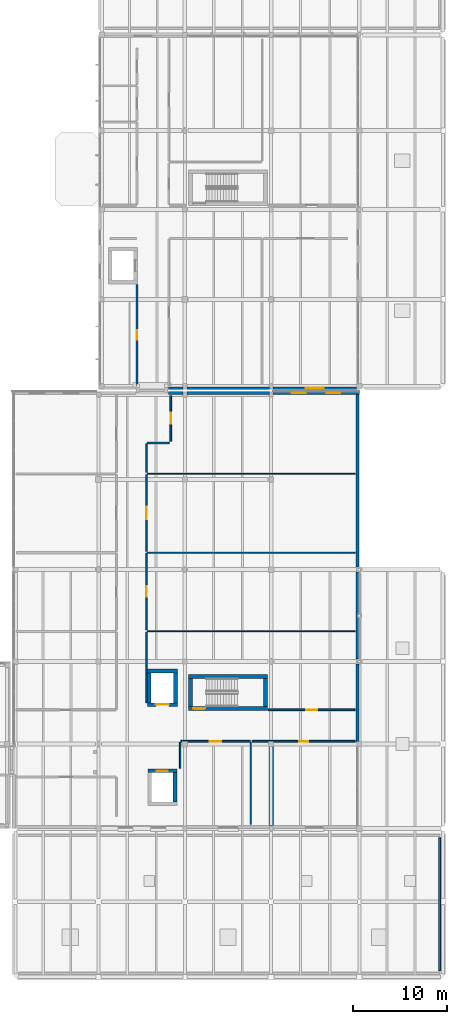
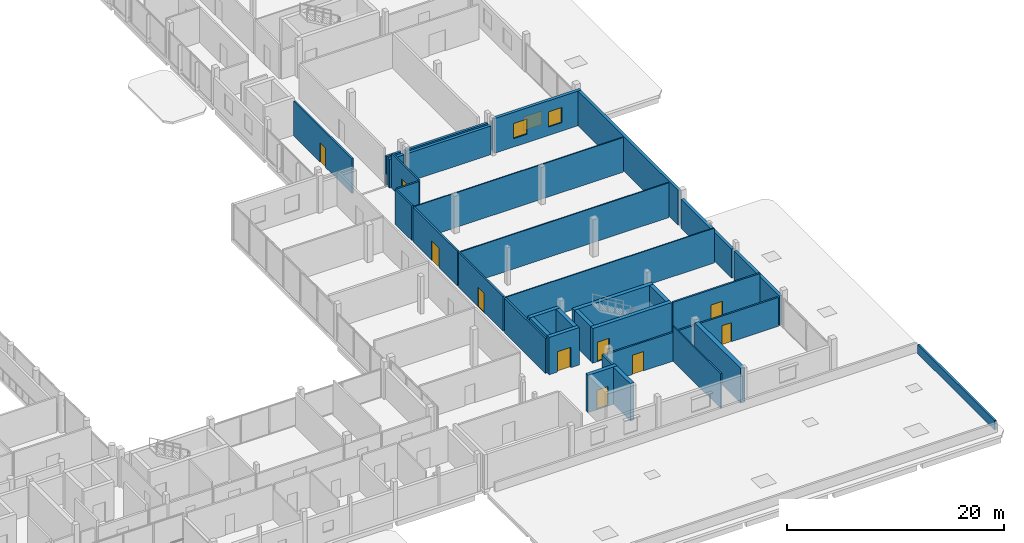
# One storey, part 48 of 66: 36 walls, 10 doors, 3 windows, 13 openings.
"""IFC4 building model written with IfcOpenShell, lengths in metres."""

from ifc_helpers import new_model, si_unit, direction, frame, frame_2d, origin, place, context, subcontext, project, spatial, rectangle, extrude, material, layer, layer_set, type_object, element, fill, save


model = new_model("IFC4")

# Units and contexts
model_context = context("Model", 3, precision=1e-05, world=origin(), true_north=direction((0.0, 1.0)))
body_context = subcontext(model_context, "Body", "Model", "MODEL_VIEW")
ifc_project = project(units=[si_unit("LENGTHUNIT", "METRE"), si_unit("AREAUNIT", "SQUARE_METRE"), si_unit("VOLUMEUNIT", "CUBIC_METRE"), si_unit("PLANEANGLEUNIT", "RADIAN"), si_unit("MASSUNIT", "GRAM", prefix="KILO")], contexts=[model_context])

# Site, building, storey
site_placement = place(None, origin())
site = spatial("IfcSite", under=ifc_project, at=site_placement, CompositionType="ELEMENT")
building_placement = place(site_placement, origin())
building = spatial("IfcBuilding", under=site, at=building_placement, Name="Birchvale Park Specialist Clinic", CompositionType="ELEMENT")
storey_placement = place(building_placement, frame((0.0, 0.0, 5.39990234375)))
storey = spatial("IfcBuildingStorey", under=building, at=storey_placement, Name="L01", CompositionType="ELEMENT", Elevation=5.39990234375)

# Wall, opening, door
ifc_material_1 = material(Name="Concrete C40/50", Category="concrete")
ifc_layer_1 = layer(ifc_material_1, 0.39990234375)
ifc_layer_set_1 = layer_set([ifc_layer_1], Name="Concrete C40/50")
wall_type_1 = type_object("IfcWallType", Name="WL-CW-120", PredefinedType="SHEAR", material=ifc_layer_set_1)
wall_1_placement = place(storey_placement, frame((137.60009765625, 29.60009765625, 0.0), z_axis=(0.0, 0.0, 1.0), x_axis=(1.0, 0.0, 0.0)))
wall_1 = element("IfcWall", 1, at=wall_1_placement, inside=storey, type_object=wall_type_1, Name="L01 stair ST6 EI 120 enclosure wall (south)", PredefinedType="SHEAR", context=body_context, shape_type="SweptSolid", body=[
    extrude(rectangle(XDim=8.39990234375, YDim=0.39990234375, at=frame_2d((4.199951171875, 0.0))), origin(), (0.0, 0.0, 1.0), 3.900146484375),
])
opening_1_placement = place(wall_1_placement, frame((0.52001953125, 0.0, 0.0)))
opening_1 = element("IfcOpeningElement", 2, at=opening_1_placement, cuts=wall_1, Name="Opening ID-FD60", PredefinedType="OPENING", context=body_context, shape_type="SweptSolid", body=[
    extrude(rectangle(XDim=1.25, YDim=2.199951171875, at=frame_2d((0.625, 1.10009765625))), frame((0.0, 0.2099609375, 0.0), z_axis=(0.0, -1.0, 0.0), x_axis=(1.0, 0.0, 0.0)), (0.0, 0.0, 1.0), 0.419921875),
])
ifc_material_2 = material(Name="Solid-core birch veneer and anodised aluminium", Category="aluminium")
door_type_1 = type_object("IfcDoorType", Name="DR-ID-FD60", OperationType="NOTDEFINED", PredefinedType="DOOR", material=ifc_material_2)
door_1_placement = place(opening_1_placement, origin())
door_1 = element("IfcDoor", 3, at=door_1_placement, inside=storey, type_object=door_type_1, Name="L01 stair ST6 fire door", OperationType="SINGLE_SWING_RIGHT", OverallHeight=2.199951171875, OverallWidth=1.25, PredefinedType="DOOR", context=body_context, shape_type="SweptSolid", body=[
    extrude(rectangle(XDim=1.25, YDim=2.199951171875, at=frame_2d((0.625, 1.10009765625))), frame((0.0, 0.02490234375, 0.0), z_axis=(0.0, -1.0, 0.0), x_axis=(1.0, 0.0, 0.0)), (0.0, 0.0, 1.0), 0.050048828125),
])
fill(opening_1, door_1)

# Walls
wall_2_placement = place(storey_placement, frame((146.0, 33.0, 0.0), z_axis=(0.0, 0.0, 1.0), x_axis=(-1.0, 0.0, 0.0)))
element("IfcWall", 4, at=wall_2_placement, inside=storey, type_object=wall_type_1, Name="L01 stair ST6 EI 120 enclosure wall (north)", PredefinedType="SHEAR", context=body_context, shape_type="SweptSolid", body=[
    extrude(rectangle(XDim=8.39990234375, YDim=0.39990234375, at=frame_2d((4.199951171875, 0.0))), origin(), (0.0, 0.0, 1.0), 3.900146484375),
])
for number, where, z_axis, x_axis, name in (
    (5, (137.800048828125, 29.800048828125, 0.0), (0.0, 0.0, 1.0), (0.0, 1.0, 0.0), "L01 stair ST6 EI 120 enclosure wall (west)"),
    (6, (145.800048828125, 32.800048828125, 0.0), (0.0, 0.0, 1.0), (0.0, -1.0, 0.0), "L01 stair ST6 EI 120 enclosure wall (east)"),
):
    element("IfcWall", number, at=place(storey_placement, frame(where, z_axis=z_axis, x_axis=x_axis)), inside=storey, type_object=wall_type_1, Name=name, PredefinedType="SHEAR", context=body_context, shape_type="SweptSolid", body=[
        extrude(rectangle(XDim=3.0, YDim=0.39990234375, at=frame_2d((1.5, 0.0))), origin(), (0.0, 0.0, 1.0), 3.900146484375),
    ])

# Wall, opening, door
wall_3_placement = place(storey_placement, frame((136.35009765625, 22.949951171875, 0.0), z_axis=(0.0, 0.0, 1.0), x_axis=(-1.0, 0.0, 0.0)))
wall_3 = element("IfcWall", 7, at=wall_3_placement, inside=storey, type_object=wall_type_1, Name="L01 lift LP4 shaft wall (north)", PredefinedType="SHEAR", context=body_context, shape_type="SweptSolid", body=[
    extrude(rectangle(XDim=3.10009765625, YDim=0.39990234375, at=frame_2d((1.550048828125, 0.0))), origin(), (0.0, 0.0, 1.0), 4.2001953125),
])
opening_2_placement = place(wall_3_placement, frame((0.949951171875, 0.0, 0.0)))
opening_2 = element("IfcOpeningElement", 8, at=opening_2_placement, cuts=wall_3, Name="Opening LD-01", PredefinedType="OPENING", context=body_context, shape_type="SweptSolid", body=[
    extrude(rectangle(XDim=1.199951171875, YDim=2.199951171875, at=frame_2d((0.60009765625, 1.10009765625))), frame((0.0, 0.2099609375, 0.0), z_axis=(0.0, -1.0, 0.0), x_axis=(1.0, 0.0, 0.0)), (0.0, 0.0, 1.0), 0.419921875),
])
door_type_2 = type_object("IfcDoorType", Name="DR-LD-01", OperationType="DOUBLE_DOOR_SLIDING", PredefinedType="DOOR", material=ifc_material_2)
door_2_placement = place(opening_2_placement, origin())
door_2 = element("IfcDoor", 9, at=door_2_placement, inside=storey, type_object=door_type_2, Name="L01 lift LP4 sliding landing door", OperationType="DOUBLE_DOOR_SLIDING", OverallHeight=2.199951171875, OverallWidth=1.199951171875, PredefinedType="DOOR", context=body_context, shape_type="SweptSolid", body=[
    extrude(rectangle(XDim=1.199951171875, YDim=2.199951171875, at=frame_2d((0.60009765625, 1.10009765625))), frame((0.0, 0.02490234375, 0.0), z_axis=(0.0, -1.0, 0.0), x_axis=(1.0, 0.0, 0.0)), (0.0, 0.0, 1.0), 0.050048828125),
])
fill(opening_2, door_2)

# Wall
wall_4_placement = place(storey_placement, frame((136.14990234375, 22.75, 0.0), z_axis=(0.0, 0.0, 1.0), x_axis=(0.0, -1.0, 0.0)))
element("IfcWall", 10, at=wall_4_placement, inside=storey, type_object=wall_type_1, Name="L01 lift LP4 shaft wall (east)", PredefinedType="SHEAR", context=body_context, shape_type="SweptSolid", body=[
    extrude(rectangle(XDim=3.10009765625, YDim=0.39990234375, at=frame_2d((1.550048828125, 0.0))), origin(), (0.0, 0.0, 1.0), 4.2001953125),
])

# Wall, opening, door
wall_5_placement = place(storey_placement, frame((133.199951171875, 30.0, 0.0), z_axis=(0.0, 0.0, 1.0), x_axis=(1.0, 0.0, 0.0)))
wall_5 = element("IfcWall", 11, at=wall_5_placement, inside=storey, type_object=wall_type_1, Name="L01 lift LS2 shaft wall (south)", PredefinedType="SHEAR", context=body_context, shape_type="SweptSolid", body=[
    extrude(rectangle(XDim=3.199951171875, YDim=0.39990234375, at=frame_2d((1.60009765625, 0.0))), origin(), (0.0, 0.0, 1.0), 4.2001953125),
])
opening_3_placement = place(wall_5_placement, frame((0.89990234375, 0.0, 0.0)))
opening_3 = element("IfcOpeningElement", 12, at=opening_3_placement, cuts=wall_5, Name="Opening LD-03", PredefinedType="OPENING", context=body_context, shape_type="SweptSolid", body=[
    extrude(rectangle(XDim=1.39990234375, YDim=2.300048828125, at=frame_2d((0.699951171875, 1.14990234375))), frame((0.0, 0.2099609375, 0.0), z_axis=(0.0, -1.0, 0.0), x_axis=(1.0, 0.0, 0.0)), (0.0, 0.0, 1.0), 0.419921875),
])
door_type_3 = type_object("IfcDoorType", Name="DR-LD-03", OperationType="DOUBLE_DOOR_SLIDING", PredefinedType="DOOR", material=ifc_material_2)
door_3_placement = place(opening_3_placement, origin())
door_3 = element("IfcDoor", 13, at=door_3_placement, inside=storey, type_object=door_type_3, Name="L01 lift LS2 sliding landing door", OperationType="DOUBLE_DOOR_SLIDING", OverallHeight=2.300048828125, OverallWidth=1.39990234375, PredefinedType="DOOR", context=body_context, shape_type="SweptSolid", body=[
    extrude(rectangle(XDim=1.39990234375, YDim=2.300048828125, at=frame_2d((0.699951171875, 1.14990234375))), frame((0.0, 0.02490234375, 0.0), z_axis=(0.0, -1.0, 0.0), x_axis=(1.0, 0.0, 0.0)), (0.0, 0.0, 1.0), 0.050048828125),
])
fill(opening_3, door_3)

# Walls
for number, where, z_axis, x_axis, name in (
    (14, (136.39990234375, 33.60009765625, 0.0), (0.0, 0.0, 1.0), (-1.0, 0.0, 0.0), "L01 lift LS2 shaft wall (north)"),
    (15, (133.39990234375, 30.199951171875, 0.0), (0.0, 0.0, 1.0), (0.0, 1.0, 0.0), "L01 lift LS2 shaft wall (west)"),
    (16, (136.199951171875, 33.39990234375, 0.0), (0.0, 0.0, 1.0), (0.0, -1.0, 0.0), "L01 lift LS2 shaft wall (east)"),
):
    element("IfcWall", number, at=place(storey_placement, frame(where, z_axis=z_axis, x_axis=x_axis)), inside=storey, type_object=wall_type_1, Name=name, PredefinedType="SHEAR", context=body_context, shape_type="SweptSolid", body=[
        extrude(rectangle(XDim=3.199951171875, YDim=0.39990234375, at=frame_2d((1.60009765625, 0.0))), origin(), (0.0, 0.0, 1.0), 4.2001953125),
    ])
ifc_material_3 = material(Name="Lime-white mineral-rendered insulated masonry", Category="masonry")
ifc_layer_2 = layer(ifc_material_3, 0.31005859375)
ifc_layer_set_2 = layer_set([ifc_layer_2], Name="Lime-white mineral-rendered insulated masonry")
wall_type_2 = type_object("IfcWallType", Name="WL-EW-02", PredefinedType="STANDARD", material=ifc_layer_set_2)
wall_6_placement = place(storey_placement, frame((155.625, 26.044921875, 0.0), z_axis=(0.0, 0.0, 1.0), x_axis=(0.0, 1.0, 0.0)))
element("IfcWall", 17, at=wall_6_placement, inside=storey, type_object=wall_type_2, Name="V5 L01 exterior facade wall 163", PredefinedType="STANDARD", context=body_context, shape_type="SweptSolid", body=[
    extrude(rectangle(XDim=8.31005859375, YDim=0.31005859375, at=frame_2d((4.155029296875, 0.0))), origin(), (0.0, 0.0, 1.0), 3.34521484375),
])
wall_7_placement = place(storey_placement, frame((155.625, 34.844970703125, 0.0), z_axis=(0.0, 0.0, 1.0), x_axis=(0.0, 1.0, 0.0)))
element("IfcWall", 18, at=wall_7_placement, inside=storey, type_object=wall_type_2, Name="V5 L01 exterior facade wall 164", PredefinedType="STANDARD", context=body_context, shape_type="SweptSolid", body=[
    extrude(rectangle(XDim=9.284912109375, YDim=0.31005859375, at=frame_2d((4.642578125, 0.0))), origin(), (0.0, 0.0, 1.0), 3.2451171875),
])
wall_8_placement = place(storey_placement, frame((155.625, 44.669921875, 0.0), z_axis=(0.0, 0.0, 1.0), x_axis=(0.0, 1.0, 0.0)))
element("IfcWall", 19, at=wall_8_placement, inside=storey, type_object=wall_type_2, Name="V5 L01 exterior facade wall 165", PredefinedType="STANDARD", context=body_context, shape_type="SweptSolid", body=[
    extrude(rectangle(XDim=18.7099609375, YDim=0.31005859375, at=frame_2d((9.35498046875, 0.0))), origin(), (0.0, 0.0, 1.0), 3.900146484375),
])

# Wall, openings, windows
wall_9_placement = place(storey_placement, frame((155.800048828125, 63.22509765625, 0.0), z_axis=(0.0, 0.0, 1.0), x_axis=(-1.0, 0.0, 0.0)))
wall_9 = element("IfcWall", 20, at=wall_9_placement, inside=storey, type_object=wall_type_2, Name="V5 L01 exterior facade wall 166", PredefinedType="STANDARD", context=body_context, shape_type="SweptSolid", body=[
    extrude(rectangle(XDim=9.219970703125, YDim=0.31005859375, at=frame_2d((4.60986328125, 0.0))), origin(), (0.0, 0.0, 1.0), 3.900146484375),
])
opening_4_placement = place(wall_9_placement, frame((2.041015625, 0.0, 0.949951171875)))
opening_4 = element("IfcOpeningElement", 21, at=opening_4_placement, cuts=wall_9, Name="Opening W-CL12", PredefinedType="OPENING", context=body_context, shape_type="SweptSolid", body=[
    extrude(rectangle(XDim=1.449951171875, YDim=1.699951171875, at=frame_2d((0.72509765625, 0.85009765625))), frame((0.0, 0.1650390625, 0.0), z_axis=(0.0, -1.0, 0.0), x_axis=(1.0, 0.0, 0.0)), (0.0, 0.0, 1.0), 0.330078125),
])
opening_5_placement = place(wall_9_placement, frame((5.72900390625, 0.0, 0.949951171875)))
opening_5 = element("IfcOpeningElement", 22, at=opening_5_placement, cuts=wall_9, Name="Opening W-CL12", PredefinedType="OPENING", context=body_context, shape_type="SweptSolid", body=[
    extrude(rectangle(XDim=1.449951171875, YDim=1.699951171875, at=frame_2d((0.72509765625, 0.85009765625))), frame((0.0, 0.1650390625, 0.0), z_axis=(0.0, -1.0, 0.0), x_axis=(1.0, 0.0, 0.0)), (0.0, 0.0, 1.0), 0.330078125),
])
ifc_material_4 = material(Name="Solar-control low-E double glazing", Category="glass")
window_type_1 = type_object("IfcWindowType", Name="WIN-W-CL12", PartitioningType="SINGLE_PANEL", PredefinedType="WINDOW", material=ifc_material_4)
window_1_placement = place(opening_4_placement, origin())
window_1 = element("IfcWindow", 23, at=window_1_placement, inside=storey, type_object=window_type_1, Name="V5 L01 cased window 47", OverallHeight=1.699951171875, OverallWidth=1.449951171875, PartitioningType="SINGLE_PANEL", PredefinedType="WINDOW", context=body_context, shape_type="SweptSolid", body=[
    extrude(rectangle(XDim=1.449951171875, YDim=1.699951171875, at=frame_2d((0.72509765625, 0.85009765625))), frame((0.0, 0.030029296875, 0.0), z_axis=(0.0, -1.0, 0.0), x_axis=(1.0, 0.0, 0.0)), (0.0, 0.0, 1.0), 0.06005859375),
])
fill(opening_4, window_1)
window_2_placement = place(opening_5_placement, origin())
window_2 = element("IfcWindow", 24, at=window_2_placement, inside=storey, type_object=window_type_1, Name="V5 L01 cased window 48", OverallHeight=1.699951171875, OverallWidth=1.449951171875, PartitioningType="SINGLE_PANEL", PredefinedType="WINDOW", context=body_context, shape_type="SweptSolid", body=[
    extrude(rectangle(XDim=1.449951171875, YDim=1.699951171875, at=frame_2d((0.72509765625, 0.85009765625))), frame((0.0, 0.030029296875, 0.0), z_axis=(0.0, -1.0, 0.0), x_axis=(1.0, 0.0, 0.0)), (0.0, 0.0, 1.0), 0.06005859375),
])
fill(opening_5, window_2)

# Walls
wall_10_placement = place(storey_placement, frame((146.219970703125, 63.22509765625, 0.0), z_axis=(0.0, 0.0, 1.0), x_axis=(-1.0, 0.0, 0.0)))
element("IfcWall", 25, at=wall_10_placement, inside=storey, type_object=wall_type_2, Name="V5 L01 exterior facade wall 167", PredefinedType="STANDARD", context=body_context, shape_type="SweptSolid", body=[
    extrude(rectangle(XDim=8.81494140625, YDim=0.31005859375, at=frame_2d((4.407470703125, 0.0))), origin(), (0.0, 0.0, 1.0), 3.22021484375),
])
wall_11_placement = place(storey_placement, frame((136.9951171875, 63.22509765625, 0.0), z_axis=(0.0, 0.0, 1.0), x_axis=(-1.0, 0.0, 0.0)))
element("IfcWall", 26, at=wall_11_placement, inside=storey, type_object=wall_type_2, Name="V5 L01 exterior facade wall 168", PredefinedType="STANDARD", context=body_context, shape_type="SweptSolid", body=[
    extrude(rectangle(XDim=1.545166015625, YDim=0.31005859375, at=frame_2d((0.7724609375, 0.0))), origin(), (0.0, 0.0, 1.0), 3.22021484375),
])
ifc_layer_3 = layer(ifc_material_3, 0.25)
ifc_layer_set_3 = layer_set([ifc_layer_3], Name="Lime-white mineral-rendered insulated masonry")
wall_type_3 = type_object("IfcWallType", Name="WL-EW-05", PredefinedType="STANDARD", material=ifc_layer_set_3)
wall_12_placement = place(storey_placement, frame((135.449951171875, 63.7451171875, 0.0), z_axis=(0.0, 0.0, 1.0), x_axis=(1.0, 0.0, 0.0)))
element("IfcWall", 27, at=wall_12_placement, inside=storey, type_object=wall_type_3, Name="V6 L01 exterior facade wall 173", PredefinedType="STANDARD", context=body_context, shape_type="SweptSolid", body=[
    extrude(rectangle(XDim=1.545166015625, YDim=0.25, at=frame_2d((0.7724609375, 0.0))), origin(), (0.0, 0.0, 1.0), 3.195068359375),
])
wall_13_placement = place(storey_placement, frame((137.405029296875, 63.7451171875, 0.0), z_axis=(0.0, 0.0, 1.0), x_axis=(1.0, 0.0, 0.0)))
element("IfcWall", 28, at=wall_13_placement, inside=storey, type_object=wall_type_3, Name="V6 L01 exterior facade wall 174", PredefinedType="STANDARD", context=body_context, shape_type="SweptSolid", body=[
    extrude(rectangle(XDim=8.81494140625, YDim=0.25, at=frame_2d((4.407470703125, 0.0))), origin(), (0.0, 0.0, 1.0), 3.195068359375),
])

# Wall, opening, window
wall_14_placement = place(storey_placement, frame((146.580078125, 63.7451171875, 0.0), z_axis=(0.0, 0.0, 1.0), x_axis=(1.0, 0.0, 0.0)))
wall_14 = element("IfcWall", 29, at=wall_14_placement, inside=storey, type_object=wall_type_3, Name="V6 L01 exterior facade wall 175", PredefinedType="STANDARD", context=body_context, shape_type="SweptSolid", body=[
    extrude(rectangle(XDim=8.934814453125, YDim=0.25, at=frame_2d((4.46728515625, 0.0))), origin(), (0.0, 0.0, 1.0), 3.195068359375),
])
opening_6_placement = place(wall_14_placement, frame((3.492431640625, 0.0, 0.949951171875)))
opening_6 = element("IfcOpeningElement", 30, at=opening_6_placement, cuts=wall_14, Name="Opening W-CL17", PredefinedType="OPENING", context=body_context, shape_type="SweptSolid", body=[
    extrude(rectangle(XDim=1.949951171875, YDim=1.550048828125, at=frame_2d((0.97509765625, 0.77490234375))), frame((0.0, 0.135009765625, 0.0), z_axis=(0.0, -1.0, 0.0), x_axis=(1.0, 0.0, 0.0)), (0.0, 0.0, 1.0), 0.27001953125),
])
window_type_2 = type_object("IfcWindowType", Name="WIN-W-CL17", PartitioningType="SINGLE_PANEL", PredefinedType="WINDOW", material=ifc_material_4)
window_3_placement = place(opening_6_placement, origin())
window_3 = element("IfcWindow", 31, at=window_3_placement, inside=storey, type_object=window_type_2, Name="V6 L01 cased window 51", OverallHeight=1.550048828125, OverallWidth=1.949951171875, PartitioningType="SINGLE_PANEL", PredefinedType="WINDOW", context=body_context, shape_type="SweptSolid", body=[
    extrude(rectangle(XDim=1.949951171875, YDim=1.550048828125, at=frame_2d((0.97509765625, 0.77490234375))), frame((0.0, 0.030029296875, 0.0), z_axis=(0.0, -1.0, 0.0), x_axis=(1.0, 0.0, 0.0)), (0.0, 0.0, 1.0), 0.06005859375),
])
fill(opening_6, window_3)

# Walls
ifc_material_5 = material(Name="Acoustic gypsum board on metal framing")
ifc_layer_4 = layer(ifc_material_5, 0.139892578125)
ifc_layer_set_4 = layer_set([ifc_layer_4], Name="Acoustic gypsum board on metal framing")
wall_type_4 = type_object("IfcWallType", Name="WL-IW-03", PredefinedType="PARTITIONING", material=ifc_layer_set_4)
wall_15_placement = place(storey_placement, frame((144.22998046875, 26.02001953125, 0.0), z_axis=(0.0, 0.0, 1.0), x_axis=(0.0, -1.0, 0.0)))
element("IfcWall", 32, at=wall_15_placement, inside=storey, type_object=wall_type_4, Name="V5 L01 clinical partition 367", PredefinedType="PARTITIONING", context=body_context, shape_type="SweptSolid", body=[
    extrude(rectangle(XDim=8.780029296875, YDim=0.139892578125, at=frame_2d((4.39013671875, 0.0))), origin(), (0.0, 0.0, 1.0), 3.900146484375),
])
ifc_layer_5 = layer(ifc_material_5, 0.125)
ifc_layer_set_5 = layer_set([ifc_layer_5], Name="Acoustic gypsum board on metal framing")
wall_type_5 = type_object("IfcWallType", Name="WL-IW-04", PredefinedType="PARTITIONING", material=ifc_layer_set_5)
wall_16_placement = place(storey_placement, frame((133.179931640625, 46.205078125, 0.0), z_axis=(0.0, 0.0, 1.0), x_axis=(1.0, 0.0, 0.0)))
element("IfcWall", 33, at=wall_16_placement, inside=storey, type_object=wall_type_5, Name="V5 L01 clinical partition 381", PredefinedType="PARTITIONING", context=body_context, shape_type="SweptSolid", body=[
    extrude(rectangle(XDim=22.18017578125, YDim=0.125, at=frame_2d((11.090087890625, 0.0))), origin(), (0.0, 0.0, 1.0), 3.900146484375),
])
ifc_layer_6 = layer(ifc_material_5, 0.114990234375)
ifc_layer_set_6 = layer_set([ifc_layer_6], Name="Acoustic gypsum board on metal framing")
wall_type_6 = type_object("IfcWallType", Name="WL-IW-05", PredefinedType="PARTITIONING", material=ifc_layer_set_6)
for number, where, z_axis, x_axis, name in (
    (34, (133.179931640625, 37.8076171875, 0.0), (0.0, 0.0, 1.0), (1.0, 0.0, 0.0), "V5 L01 clinical partition 378"),
    (35, (133.179931640625, 54.6025390625, 0.0), (0.0, 0.0, 1.0), (1.0, 0.0, 0.0), "V5 L01 clinical partition 383"),
):
    element("IfcWall", number, at=place(storey_placement, frame(where, z_axis=z_axis, x_axis=x_axis)), inside=storey, type_object=wall_type_6, Name=name, PredefinedType="PARTITIONING", context=body_context, shape_type="SweptSolid", body=[
        extrude(rectangle(XDim=22.18017578125, YDim=0.114990234375, at=frame_2d((11.090087890625, 0.0))), origin(), (0.0, 0.0, 1.0), 3.900146484375),
    ])
ifc_layer_7 = layer(ifc_material_5, 0.179931640625)
ifc_layer_set_7 = layer_set([ifc_layer_7], Name="Acoustic gypsum board on metal framing")
wall_type_7 = type_object("IfcWallType", Name="WL-IW-60", PredefinedType="PARTITIONING", material=ifc_layer_set_7)
wall_17_placement = place(storey_placement, frame((136.699951171875, 23.22998046875, 0.0), z_axis=(0.0, 0.0, 1.0), x_axis=(0.0, 1.0, 0.0)))
element("IfcWall", 36, at=wall_17_placement, inside=storey, type_object=wall_type_7, Name="V5 L01 clinical partition 365", PredefinedType="PARTITIONING", context=body_context, shape_type="SweptSolid", body=[
    extrude(rectangle(XDim=2.7900390625, YDim=0.179931640625, at=frame_2d((1.39501953125, 0.0))), origin(), (0.0, 0.0, 1.0), 3.385009765625),
])

# Wall, opening, door
wall_18_placement = place(storey_placement, frame((136.780029296875, 26.10009765625, 0.0), z_axis=(0.0, 0.0, 1.0), x_axis=(1.0, 0.0, 0.0)))
wall_18 = element("IfcWall", 37, at=wall_18_placement, inside=storey, type_object=wall_type_7, Name="V5 L01 clinical partition 366", PredefinedType="PARTITIONING", context=body_context, shape_type="SweptSolid", body=[
    extrude(rectangle(XDim=7.369873046875, YDim=0.179931640625, at=frame_2d((3.68505859375, 0.0))), origin(), (0.0, 0.0, 1.0), 3.235107421875),
])
opening_7_placement = place(wall_18_placement, frame((3.094970703125, 0.0, 0.0)))
opening_7 = element("IfcOpeningElement", 38, at=opening_7_placement, cuts=wall_18, Name="Opening ID-ST60", PredefinedType="OPENING", context=body_context, shape_type="SweptSolid", body=[
    extrude(rectangle(XDim=1.179931640625, YDim=2.179931640625, at=frame_2d((0.58984375, 1.08984375))), frame((0.0, 0.10009765625, 0.0), z_axis=(0.0, -1.0, 0.0), x_axis=(1.0, 0.0, 0.0)), (0.0, 0.0, 1.0), 0.199951171875),
])
door_type_4 = type_object("IfcDoorType", Name="DR-ID-ST60", OperationType="NOTDEFINED", PredefinedType="DOOR", material=ifc_material_2)
door_4_placement = place(opening_7_placement, origin())
door_4 = element("IfcDoor", 39, at=door_4_placement, inside=storey, type_object=door_type_4, Name="L01 Bronchoscopy Procedure Suite door", OperationType="SINGLE_SWING_LEFT", OverallHeight=2.179931640625, OverallWidth=1.179931640625, PredefinedType="DOOR", context=body_context, shape_type="SweptSolid", body=[
    extrude(rectangle(XDim=1.179931640625, YDim=2.179931640625, at=frame_2d((0.58984375, 1.08984375))), frame((0.0, 0.02490234375, 0.0), z_axis=(0.0, -1.0, 0.0), x_axis=(1.0, 0.0, 0.0)), (0.0, 0.0, 1.0), 0.050048828125),
])
fill(opening_7, door_4)

wall_19_placement = place(storey_placement, frame((144.389892578125, 26.10009765625, 0.0), z_axis=(0.0, 0.0, 1.0), x_axis=(1.0, 0.0, 0.0)))
wall_19 = element("IfcWall", 40, at=wall_19_placement, inside=storey, type_object=wall_type_7, Name="V5 L01 clinical partition 368", PredefinedType="PARTITIONING", context=body_context, shape_type="SweptSolid", body=[
    extrude(rectangle(XDim=10.97021484375, YDim=0.179931640625, at=frame_2d((5.485107421875, 0.0))), origin(), (0.0, 0.0, 1.0), 3.235107421875),
])
opening_8_placement = place(wall_19_placement, frame((4.985107421875, 0.0, 0.0)))
opening_8 = element("IfcOpeningElement", 41, at=opening_8_placement, cuts=wall_19, Name="Opening ID-01", PredefinedType="OPENING", context=body_context, shape_type="SweptSolid", body=[
    extrude(rectangle(XDim=1.0, YDim=2.14990234375, at=frame_2d((0.5, 1.074951171875))), frame((0.0, 0.10009765625, 0.0), z_axis=(0.0, -1.0, 0.0), x_axis=(1.0, 0.0, 0.0)), (0.0, 0.0, 1.0), 0.199951171875),
])
door_type_5 = type_object("IfcDoorType", Name="DR-ID-01", OperationType="NOTDEFINED", PredefinedType="DOOR", material=ifc_material_2)
door_5_placement = place(opening_8_placement, origin())
door_5 = element("IfcDoor", 42, at=door_5_placement, inside=storey, type_object=door_type_5, Name="L01 Minor Day-Procedure Suite door", OperationType="SINGLE_SWING_RIGHT", OverallHeight=2.14990234375, OverallWidth=1.0, PredefinedType="DOOR", context=body_context, shape_type="SweptSolid", body=[
    extrude(rectangle(XDim=1.0, YDim=2.14990234375, at=frame_2d((0.5, 1.074951171875))), frame((0.0, 0.02490234375, 0.0), z_axis=(0.0, -1.0, 0.0), x_axis=(1.0, 0.0, 0.0)), (0.0, 0.0, 1.0), 0.050048828125),
])
fill(opening_8, door_5)

# Wall
wall_20_placement = place(storey_placement, frame((133.10009765625, 30.179931640625, 0.0), z_axis=(0.0, 0.0, 1.0), x_axis=(0.0, 1.0, 0.0)))
element("IfcWall", 43, at=wall_20_placement, inside=storey, type_object=wall_type_7, Name="V5 L01 clinical partition 377", PredefinedType="PARTITIONING", context=body_context, shape_type="SweptSolid", body=[
    extrude(rectangle(XDim=7.547607421875, YDim=0.179931640625, at=frame_2d((3.77392578125, 0.0))), origin(), (0.0, 0.0, 1.0), 3.900146484375),
])

# Wall, opening, door
wall_21_placement = place(storey_placement, frame((155.360107421875, 29.449951171875, 0.0), z_axis=(0.0, 0.0, 1.0), x_axis=(-1.0, 0.0, 0.0)))
wall_21 = element("IfcWall", 44, at=wall_21_placement, inside=storey, type_object=wall_type_7, Name="V5 L01 clinical partition 379", PredefinedType="PARTITIONING", context=body_context, shape_type="SweptSolid", body=[
    extrude(rectangle(XDim=9.260009765625, YDim=0.179931640625, at=frame_2d((4.6298828125, 0.0))), origin(), (0.0, 0.0, 1.0), 3.900146484375),
])
opening_9_placement = place(wall_21_placement, frame((4.02001953125, 0.0, 0.0)))
opening_9 = element("IfcOpeningElement", 45, at=opening_9_placement, cuts=wall_21, Name="Opening ID-10", PredefinedType="OPENING", context=body_context, shape_type="SweptSolid", body=[
    extrude(rectangle(XDim=1.219970703125, YDim=2.179931640625, at=frame_2d((0.60986328125, 1.08984375))), frame((0.0, 0.10009765625, 0.0), z_axis=(0.0, -1.0, 0.0), x_axis=(1.0, 0.0, 0.0)), (0.0, 0.0, 1.0), 0.199951171875),
])
door_type_6 = type_object("IfcDoorType", Name="DR-ID-10", OperationType="NOTDEFINED", PredefinedType="DOOR", material=ifc_material_2)
door_6_placement = place(opening_9_placement, origin())
door_6 = element("IfcDoor", 46, at=door_6_placement, inside=storey, type_object=door_type_6, Name="L01 Nurse Preparation Station door", OperationType="SINGLE_SWING_LEFT", OverallHeight=2.179931640625, OverallWidth=1.219970703125, PredefinedType="DOOR", context=body_context, shape_type="SweptSolid", body=[
    extrude(rectangle(XDim=1.219970703125, YDim=2.179931640625, at=frame_2d((0.60986328125, 1.08984375))), frame((0.0, 0.02490234375, 0.0), z_axis=(0.0, -1.0, 0.0), x_axis=(1.0, 0.0, 0.0)), (0.0, 0.0, 1.0), 0.050048828125),
])
fill(opening_9, door_6)

wall_22_placement = place(storey_placement, frame((133.10009765625, 37.967529296875, 0.0), z_axis=(0.0, 0.0, 1.0), x_axis=(0.0, 1.0, 0.0)))
wall_22 = element("IfcWall", 47, at=wall_22_placement, inside=storey, type_object=wall_type_7, Name="V5 L01 clinical partition 380", PredefinedType="PARTITIONING", context=body_context, shape_type="SweptSolid", body=[
    extrude(rectangle(XDim=8.157470703125, YDim=0.179931640625, at=frame_2d((4.07861328125, 0.0))), origin(), (0.0, 0.0, 1.0), 3.900146484375),
])
opening_10_placement = place(wall_22_placement, frame((3.518798828125, 0.0, 0.0)))
opening_10 = element("IfcOpeningElement", 48, at=opening_10_placement, cuts=wall_22, Name="Opening ID-11", PredefinedType="OPENING", context=body_context, shape_type="SweptSolid", body=[
    extrude(rectangle(XDim=1.1201171875, YDim=2.159912109375, at=frame_2d((0.56005859375, 1.080078125))), frame((0.0, 0.10009765625, 0.0), z_axis=(0.0, -1.0, 0.0), x_axis=(1.0, 0.0, 0.0)), (0.0, 0.0, 1.0), 0.199951171875),
])
door_type_7 = type_object("IfcDoorType", Name="DR-ID-11", OperationType="NOTDEFINED", PredefinedType="DOOR", material=ifc_material_2)
door_7_placement = place(opening_10_placement, origin())
door_7 = element("IfcDoor", 49, at=door_7_placement, inside=storey, type_object=door_type_7, Name="L01 Ambulatory Endoscopy Procedure Room door", OperationType="SINGLE_SWING_RIGHT", OverallHeight=2.159912109375, OverallWidth=1.1201171875, PredefinedType="DOOR", context=body_context, shape_type="SweptSolid", body=[
    extrude(rectangle(XDim=1.1201171875, YDim=2.159912109375, at=frame_2d((0.56005859375, 1.080078125))), frame((0.0, 0.02490234375, 0.0), z_axis=(0.0, -1.0, 0.0), x_axis=(1.0, 0.0, 0.0)), (0.0, 0.0, 1.0), 0.050048828125),
])
fill(opening_10, door_7)

wall_23_placement = place(storey_placement, frame((133.10009765625, 46.364990234375, 0.0), z_axis=(0.0, 0.0, 1.0), x_axis=(0.0, 1.0, 0.0)))
wall_23 = element("IfcWall", 50, at=wall_23_placement, inside=storey, type_object=wall_type_7, Name="V5 L01 clinical partition 382", PredefinedType="PARTITIONING", context=body_context, shape_type="SweptSolid", body=[
    extrude(rectangle(XDim=8.157470703125, YDim=0.179931640625, at=frame_2d((4.07861328125, 0.0))), origin(), (0.0, 0.0, 1.0), 3.900146484375),
])
opening_11_placement = place(wall_23_placement, frame((3.418701171875, 0.0, 0.0)))
opening_11 = element("IfcOpeningElement", 51, at=opening_11_placement, cuts=wall_23, Name="Opening ID-12", PredefinedType="OPENING", context=body_context, shape_type="SweptSolid", body=[
    extrude(rectangle(XDim=1.320068359375, YDim=2.219970703125, at=frame_2d((0.66015625, 1.10986328125))), frame((0.0, 0.10009765625, 0.0), z_axis=(0.0, -1.0, 0.0), x_axis=(1.0, 0.0, 0.0)), (0.0, 0.0, 1.0), 0.199951171875),
])
door_type_8 = type_object("IfcDoorType", Name="DR-ID-12", OperationType="NOTDEFINED", PredefinedType="DOOR", material=ifc_material_2)
door_8_placement = place(opening_11_placement, origin())
door_8 = element("IfcDoor", 52, at=door_8_placement, inside=storey, type_object=door_type_8, Name="L01 Bronchoscopy Procedure Suite door", OperationType="SINGLE_SWING_LEFT", OverallHeight=2.219970703125, OverallWidth=1.320068359375, PredefinedType="DOOR", context=body_context, shape_type="SweptSolid", body=[
    extrude(rectangle(XDim=1.320068359375, YDim=2.219970703125, at=frame_2d((0.66015625, 1.10986328125))), frame((0.0, 0.02490234375, 0.0), z_axis=(0.0, -1.0, 0.0), x_axis=(1.0, 0.0, 0.0)), (0.0, 0.0, 1.0), 0.050048828125),
])
fill(opening_11, door_8)

# Walls
wall_24_placement = place(storey_placement, frame((133.10009765625, 54.762451171875, 0.0), z_axis=(0.0, 0.0, 1.0), x_axis=(0.0, 1.0, 0.0)))
element("IfcWall", 53, at=wall_24_placement, inside=storey, type_object=wall_type_7, Name="V5 L01 clinical partition 384", PredefinedType="PARTITIONING", context=body_context, shape_type="SweptSolid", body=[
    extrude(rectangle(XDim=3.0576171875, YDim=0.179931640625, at=frame_2d((1.52880859375, 0.0))), origin(), (0.0, 0.0, 1.0), 3.900146484375),
])
wall_25_placement = place(storey_placement, frame((133.179931640625, 57.89990234375, 0.0), z_axis=(0.0, 0.0, 1.0), x_axis=(1.0, 0.0, 0.0)))
element("IfcWall", 54, at=wall_25_placement, inside=storey, type_object=wall_type_7, Name="V5 L01 clinical partition 385", PredefinedType="PARTITIONING", context=body_context, shape_type="SweptSolid", body=[
    extrude(rectangle(XDim=2.340087890625, YDim=0.179931640625, at=frame_2d((1.169921875, 0.0))), origin(), (0.0, 0.0, 1.0), 3.900146484375),
])

# Wall, opening, door
wall_26_placement = place(storey_placement, frame((135.699951171875, 58.080078125, 0.0), z_axis=(0.0, 0.0, 1.0), x_axis=(0.0, 1.0, 0.0)))
wall_26 = element("IfcWall", 55, at=wall_26_placement, inside=storey, type_object=wall_type_7, Name="V5 L01 clinical partition 386", PredefinedType="PARTITIONING", context=body_context, shape_type="SweptSolid", body=[
    extrude(rectangle(XDim=4.8798828125, YDim=0.179931640625, at=frame_2d((2.43994140625, 0.0))), origin(), (0.0, 0.0, 1.0), 3.900146484375),
])
opening_12_placement = place(wall_26_placement, frame((1.85009765625, 0.0, 0.0)))
opening_12 = element("IfcOpeningElement", 56, at=opening_12_placement, cuts=wall_26, Name="Opening ID-ST60", PredefinedType="OPENING", context=body_context, shape_type="SweptSolid", body=[
    extrude(rectangle(XDim=1.179931640625, YDim=2.179931640625, at=frame_2d((0.58984375, 1.08984375))), frame((0.0, 0.10009765625, 0.0), z_axis=(0.0, -1.0, 0.0), x_axis=(1.0, 0.0, 0.0)), (0.0, 0.0, 1.0), 0.199951171875),
])
door_9_placement = place(opening_12_placement, origin())
door_9 = element("IfcDoor", 57, at=door_9_placement, inside=storey, type_object=door_type_4, Name="L01 Minor Day-Procedure Suite door", OperationType="SINGLE_SWING_RIGHT", OverallHeight=2.179931640625, OverallWidth=1.179931640625, PredefinedType="DOOR", context=body_context, shape_type="SweptSolid", body=[
    extrude(rectangle(XDim=1.179931640625, YDim=2.179931640625, at=frame_2d((0.58984375, 1.08984375))), frame((0.0, 0.02490234375, 0.0), z_axis=(0.0, -1.0, 0.0), x_axis=(1.0, 0.0, 0.0)), (0.0, 0.0, 1.0), 0.050048828125),
])
fill(opening_12, door_9)

wall_27_placement = place(storey_placement, frame((132.10009765625, 74.75, 0.0), z_axis=(0.0, 0.0, 1.0), x_axis=(0.0, -1.0, 0.0)))
wall_27 = element("IfcWall", 58, at=wall_27_placement, inside=storey, type_object=wall_type_7, Name="V6 L01 clinical partition 387", PredefinedType="PARTITIONING", context=body_context, shape_type="SweptSolid", body=[
    extrude(rectangle(XDim=10.7099609375, YDim=0.179931640625, at=frame_2d((5.35498046875, 0.0))), origin(), (0.0, 0.0, 1.0), 3.900146484375),
])
opening_13_placement = place(wall_27_placement, frame((4.85498046875, 0.0, 0.0)))
opening_13 = element("IfcOpeningElement", 59, at=opening_13_placement, cuts=wall_27, Name="Opening ID-01", PredefinedType="OPENING", context=body_context, shape_type="SweptSolid", body=[
    extrude(rectangle(XDim=1.0, YDim=2.14990234375, at=frame_2d((0.5, 1.074951171875))), frame((0.0, 0.10009765625, 0.0), z_axis=(0.0, -1.0, 0.0), x_axis=(1.0, 0.0, 0.0)), (0.0, 0.0, 1.0), 0.199951171875),
])
door_10_placement = place(opening_13_placement, origin())
door_10 = element("IfcDoor", 60, at=door_10_placement, inside=storey, type_object=door_type_5, Name="L01 Translational Research Laboratory door", OperationType="SINGLE_SWING_LEFT", OverallHeight=2.14990234375, OverallWidth=1.0, PredefinedType="DOOR", context=body_context, shape_type="SweptSolid", body=[
    extrude(rectangle(XDim=1.0, YDim=2.14990234375, at=frame_2d((0.5, 1.074951171875))), frame((0.0, 0.02490234375, 0.0), z_axis=(0.0, -1.0, 0.0), x_axis=(1.0, 0.0, 0.0)), (0.0, 0.0, 1.0), 0.050048828125),
])
fill(opening_13, door_10)

# Walls
ifc_layer_8 = layer(ifc_material_3, 0.2099609375)
ifc_layer_set_8 = layer_set([ifc_layer_8], Name="Lime-white mineral-rendered insulated masonry")
wall_type_8 = type_object("IfcWallType", Name="WL-PW-02", PredefinedType="PARAPET", material=ifc_layer_set_8)
wall_28_placement = place(storey_placement, frame((164.35009765625, 1.64990234375, 0.0), z_axis=(0.0, 0.0, 1.0), x_axis=(0.0, 1.0, 0.0)))
element("IfcWall", 61, at=wall_28_placement, inside=storey, type_object=wall_type_8, Name="L01 roof edge parapet 8", PredefinedType="PARAPET", context=body_context, shape_type="SweptSolid", body=[
    extrude(rectangle(XDim=14.150146484375, YDim=0.2099609375, at=frame_2d((7.0751953125, 0.0))), origin(), (0.0, 0.0, 1.0), 1.050048828125),
])
ifc_layer_9 = layer(ifc_material_1, 0.449951171875)
ifc_layer_set_9 = layer_set([ifc_layer_9], Name="Concrete C40/50")
wall_type_9 = type_object("IfcWallType", Name="WL-SW-450", PredefinedType="SHEAR", material=ifc_layer_set_9)
wall_29_placement = place(storey_placement, frame((146.39990234375, 17.050048828125, 0.0), z_axis=(0.0, 0.0, 1.0), x_axis=(0.0, 1.0, 0.0)))
element("IfcWall", 62, at=wall_29_placement, inside=storey, type_object=wall_type_9, Name="V5 L01 coupled seismic shear wall 13", PredefinedType="SHEAR", context=body_context, shape_type="SweptSolid", body=[
    extrude(rectangle(XDim=8.474853515625, YDim=0.449951171875, at=frame_2d((4.2373046875, 0.0))), origin(), (0.0, 0.0, 1.0), 3.900146484375),
])

save(model, "model.ifc")
